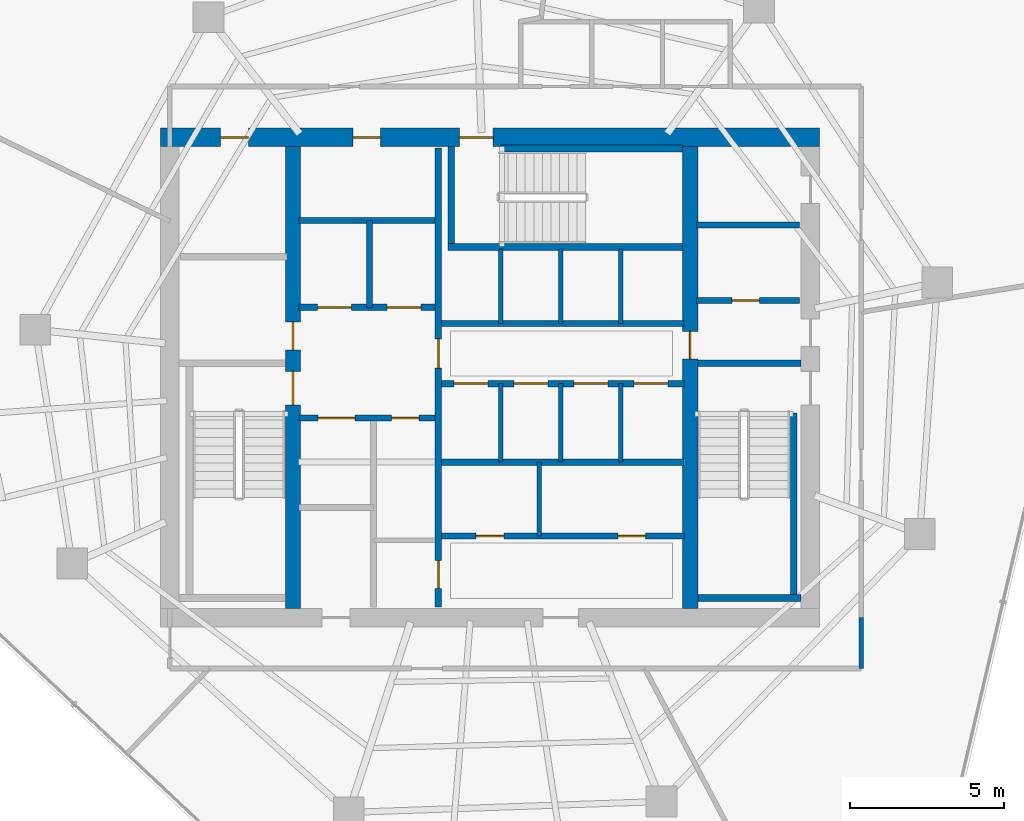
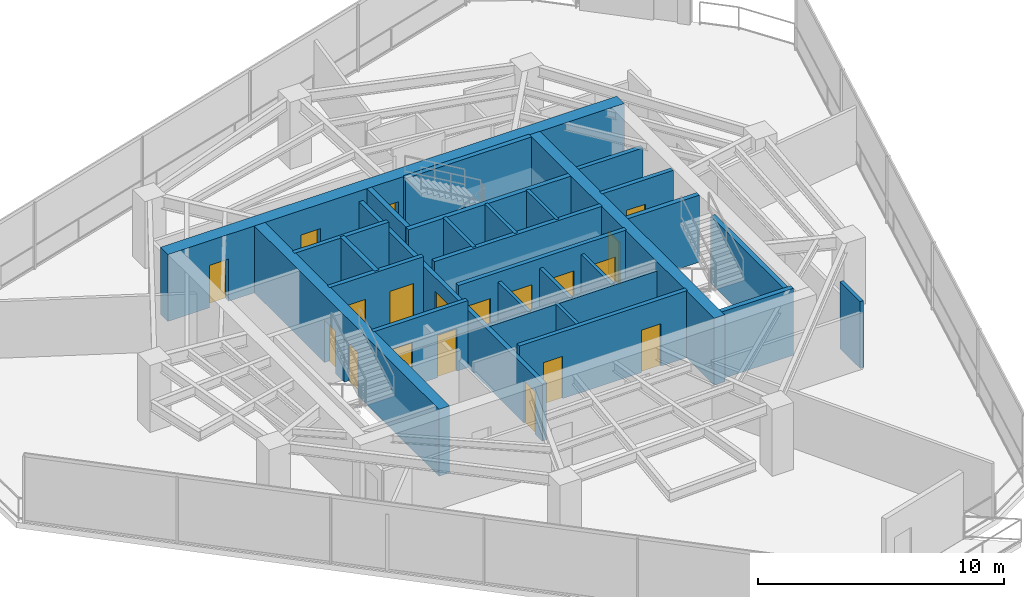
# One storey, part 16 of 19: 28 walls, 19 doors, 19 openings.
"""IFC4 building model written with IfcOpenShell, lengths in metres."""

import ifcopenshell
import ifcopenshell.guid

model = None  # the IFC model being written
_history = None  # IfcOwnerHistory: only IFC2X3 demands one
_inside = {}  # id of a spatial element -> (the spatial element, [elements in it])
_under = {}  # id of a project, library or spatial element -> (it, [spatial elements below it])
_declared = {}  # id of a project -> (the project, [libraries it declares])
_typed = {}  # id of a type object -> (the type object, [elements of that type])
_made_of = {}  # id of a material, layer set ... -> (it, [elements and type objects made of it])


def new_model(schema):
    """Start an empty IFC model of exactly this schema.

    Asked for "IFC4X3", IfcOpenShell would pick the latest addendum, in which some entities
    have other attributes; the version numbers below select the first issue.
    IFC2X3 requires an IfcOwnerHistory on every rooted entity: one is made here for all.
    """
    global model, _history
    if schema == "IFC4X3":
        model = ifcopenshell.file(schema_version=(4, 3, 0, 0))
    else:
        model = ifcopenshell.file(schema=schema)
    _inside.clear()
    _under.clear()
    _declared.clear()
    _typed.clear()
    _made_of.clear()
    _history = None
    if model.schema == "IFC2X3":
        org = make("IfcOrganization", Name="unknown")
        user = make(
            "IfcPersonAndOrganization",
            ThePerson=make("IfcPerson", FamilyName="unknown"),
            TheOrganization=org,
        )
        app = make(
            "IfcApplication",
            ApplicationDeveloper=org,
            Version="unknown",
            ApplicationFullName="unknown",
            ApplicationIdentifier="unknown",
        )
        _history = make(
            "IfcOwnerHistory",
            OwningUser=user,
            OwningApplication=app,
            ChangeAction="ADDED",
            CreationDate=0,
        )
    return model


def make(cls, **values):
    """One entity of the class cls with the attributes given. An attribute that is None is left unset."""
    return model.create_entity(
        cls, **{name: value for name, value in values.items() if value is not None}
    )


def rooted(cls, **values):
    """An entity with a GlobalId (a new one), such as an element, a storey or a relation."""
    return make(cls, GlobalId=ifcopenshell.guid.new(), OwnerHistory=_history, **values)


def si_unit(unit_type, name, prefix=None):
    """IfcSIUnit, for example si_unit("LENGTHUNIT", "METRE", prefix="MILLI")."""
    return make("IfcSIUnit", UnitType=unit_type, Prefix=prefix, Name=name)


def assignment(units):
    """IfcUnitAssignment: the units of a project."""
    return None if units is None else make("IfcUnitAssignment", Units=units)


def point(xyz):
    """IfcCartesianPoint."""
    return None if xyz is None else make("IfcCartesianPoint", Coordinates=xyz)


def direction(xyz):
    """IfcDirection."""
    return None if xyz is None else make("IfcDirection", DirectionRatios=xyz)


def frame(location, z_axis=None, x_axis=None):
    """IfcAxis2Placement3D, a coordinate frame: its origin and axes. An axis left out is left unset."""
    return make(
        "IfcAxis2Placement3D",
        Location=point(location),
        Axis=direction(z_axis),
        RefDirection=direction(x_axis),
    )


def frame_2d(location, x_axis=None):
    """IfcAxis2Placement2D, a coordinate frame in the plane: its origin and x axis."""
    return make(
        "IfcAxis2Placement2D", Location=point(location), RefDirection=direction(x_axis)
    )


def origin():
    """The frame at (0, 0, 0) with its axes left unset."""
    return frame((0.0, 0.0, 0.0))


def place(relative_to, where):
    """IfcLocalPlacement: puts the frame where relative to a parent placement (None: the world)."""
    return make(
        "IfcLocalPlacement", PlacementRelTo=relative_to, RelativePlacement=where
    )


def context(
    kind, dimensions, precision=None, world=None, true_north=None, identifier=None
):
    """IfcGeometricRepresentationContext, for example the 3D "Model" context."""
    return make(
        "IfcGeometricRepresentationContext",
        ContextIdentifier=identifier,
        ContextType=kind,
        CoordinateSpaceDimension=dimensions,
        Precision=precision,
        WorldCoordinateSystem=world,
        TrueNorth=true_north,
    )


def subcontext(parent, identifier, kind, view, scale=None):
    """IfcGeometricRepresentationSubContext, for example "Body" below "Model"."""
    return make(
        "IfcGeometricRepresentationSubContext",
        ContextIdentifier=identifier,
        ContextType=kind,
        ParentContext=parent,
        TargetScale=scale,
        TargetView=view,
    )


def project(units=None, contexts=None):
    """IfcProject with its units and contexts."""
    return rooted(
        "IfcProject",
        Name="project",
        RepresentationContexts=contexts,
        UnitsInContext=assignment(units),
    )


def spatial(cls, under=None, at=None, **own):
    """A site, building, storey or space (cls), placed at a placement, below another one or the project."""
    s = rooted(cls, ObjectPlacement=at, **own)
    if under is not None:
        _under.setdefault(under.id(), (under, []))[1].append(s)
    return s


def profile(cls, at=None, kind="AREA", **sizes):
    """A parametric profile (cls). Its sizes go by their IFC names, for example OverallWidth=200.0."""
    return make(cls, ProfileType=kind, Position=at, **sizes)


def rectangle(**sizes):
    """IfcRectangleProfileDef."""
    return profile("IfcRectangleProfileDef", **sizes)


def extrude(swept, where, along, depth):
    """IfcExtrudedAreaSolid: the profile swept, set in the frame where, extruded along a direction by depth."""
    return make(
        "IfcExtrudedAreaSolid",
        SweptArea=swept,
        Position=where,
        ExtrudedDirection=direction(along),
        Depth=depth,
    )


def shape(context_of_items, identifier, shape_type, items):
    """IfcShapeRepresentation: the items that make up one representation, for example the "Body"."""
    return make(
        "IfcShapeRepresentation",
        ContextOfItems=context_of_items,
        RepresentationIdentifier=identifier,
        RepresentationType=shape_type,
        Items=items,
    )


def material(Name=None, Category=None):
    """IfcMaterial."""
    return make("IfcMaterial", Name=Name, Category=Category)


def layer(
    of_material, thickness, ventilated=None, Name=None, Category=None, Priority=None
):
    """IfcMaterialLayer: one layer of a wall or slab, of a material (None: an air gap)."""
    return make(
        "IfcMaterialLayer",
        Material=of_material,
        LayerThickness=thickness,
        IsVentilated=ventilated,
        Name=Name,
        Category=Category,
        Priority=Priority,
    )


def layer_set(layers, Name=None):
    """IfcMaterialLayerSet."""
    return make("IfcMaterialLayerSet", MaterialLayers=layers, LayerSetName=Name)


def made_of(thing, what):
    """Note that an element or type object is made of a material, layer set ...; save() writes the relation."""
    if what is not None:
        _made_of.setdefault(what.id(), (what, []))[1].append(thing)
    return thing


def type_object(cls, material=None, **own):
    """A type object (cls), such as IfcWallType, which elements share."""
    return made_of(rooted(cls, **own), material)


def element(
    cls,
    number,
    at=None,
    inside=None,
    cuts=None,
    type_object=None,
    material=None,
    context=None,
    identifier="Body",
    shape_type=None,
    held_by="IfcProductDefinitionShape",
    body=None,
    shapes=None,
    **own,
):
    """One element of the class cls, such as IfcWall. Its Tag is "e" and its number.

    at: its placement. inside: the storey or other place that contains it. cuts: it is an
    opening in that element (IfcRelVoidsElement). A single representation is given by context,
    identifier, shape_type and body (its items); several are given by shapes. held_by: the class
    of the entity that holds the representations. save() writes the other relations.
    """
    e = rooted(cls, Tag="e%d" % number, ObjectPlacement=at, **own)
    if body is not None:
        shapes = [shape(context, identifier, shape_type, body)]
    if shapes is not None:
        e.Representation = make(held_by, Representations=shapes)
    if inside is not None:
        _inside.setdefault(inside.id(), (inside, []))[1].append(e)
    if cuts is not None:
        rooted(
            "IfcRelVoidsElement", RelatingBuildingElement=cuts, RelatedOpeningElement=e
        )
    if type_object is not None:
        _typed.setdefault(type_object.id(), (type_object, []))[1].append(e)
    return made_of(e, material)


def fill(opening, filler):
    """IfcRelFillsElement: the door or window that sits in an opening."""
    return rooted(
        "IfcRelFillsElement",
        RelatingOpeningElement=opening,
        RelatedBuildingElement=filler,
    )


def aggregate(whole, parts):
    """IfcRelAggregates: a whole, such as a stair, and the parts it consists of."""
    return rooted("IfcRelAggregates", RelatingObject=whole, RelatedObjects=parts)


def save(model, path):
    """Write the relations noted so far, then the file.

    IfcRelAggregates (storeys below a building ...), IfcRelContainedInSpatialStructure (elements
    in a storey), IfcRelDefinesByType, IfcRelAssociatesMaterial and IfcRelDeclares: one each for
    every whole, place, type object, material and project.
    """
    for whole, parts in _under.values():
        aggregate(whole, parts)
    for where, things in _inside.values():
        rooted(
            "IfcRelContainedInSpatialStructure",
            RelatedElements=things,
            RelatingStructure=where,
        )
    for kind, things in _typed.values():
        rooted("IfcRelDefinesByType", RelatedObjects=things, RelatingType=kind)
    for what, things in _made_of.values():
        rooted("IfcRelAssociatesMaterial", RelatedObjects=things, RelatingMaterial=what)
    for by, libraries in _declared.values():
        rooted("IfcRelDeclares", RelatingContext=by, RelatedDefinitions=libraries)
    model.write(path)


model = new_model("IFC4")

# Units and contexts
model_context = context("Model", 3, precision=1e-05, world=origin(), true_north=direction((0.0, 1.0)))
body_context = subcontext(model_context, "Body", "Model", "MODEL_VIEW")
ifc_project = project(units=[si_unit("LENGTHUNIT", "METRE"), si_unit("AREAUNIT", "SQUARE_METRE"), si_unit("VOLUMEUNIT", "CUBIC_METRE"), si_unit("PLANEANGLEUNIT", "RADIAN"), si_unit("MASSUNIT", "GRAM", prefix="KILO")], contexts=[model_context])

# Site, building, storey
site_placement = place(None, origin())
site = spatial("IfcSite", under=ifc_project, at=site_placement, CompositionType="ELEMENT")
building_placement = place(site_placement, origin())
building = spatial("IfcBuilding", under=site, at=building_placement, Name="Qarnah Convention Tower", CompositionType="ELEMENT")
storey_placement = place(building_placement, frame((0.0, 0.0, 129.300048828125)))
storey = spatial("IfcBuildingStorey", under=building, at=storey_placement, Name="L34", CompositionType="ELEMENT", Elevation=129.300048828125)

# Wall, openings, doors
ifc_material_1 = material(Name="Concrete C60/75", Category="concrete")
ifc_layer_1 = layer(ifc_material_1, 0.60009765625)
ifc_layer_set_1 = layer_set([ifc_layer_1], Name="Concrete C60/75")
wall_type_1 = type_object("IfcWallType", Name="WL-CORE-600", PredefinedType="SHEAR", material=ifc_layer_set_1)
wall_1_placement = place(storey_placement, frame((26.5, 34.199951171875, 0.0), z_axis=(0.0, 0.0, 1.0), x_axis=(1.0, 0.0, 0.0)))
wall_1 = element("IfcWall", 1, at=wall_1_placement, inside=storey, type_object=wall_type_1, Name="L34 core north shear wall", PredefinedType="SHEAR", context=body_context, shape_type="SweptSolid", body=[
    extrude(rectangle(XDim=21.39990234375, YDim=0.60009765625, at=frame_2d((10.699951171875, 0.0))), origin(), (0.0, 0.0, 1.0), 3.320068359375),
])
opening_1_placement = place(wall_1_placement, frame((9.699951171875, 0.0, 0.0)))
opening_1 = element("IfcOpeningElement", 2, at=opening_1_placement, cuts=wall_1, Name="Opening D-3403", PredefinedType="OPENING", context=body_context, shape_type="SweptSolid", body=[
    extrude(rectangle(XDim=1.10009765625, YDim=2.14990234375, at=frame_2d((0.550048828125, 1.074951171875))), frame((0.0, 0.31005859375, 0.0), z_axis=(0.0, -1.0, 0.0), x_axis=(1.0, 0.0, 0.0)), (0.0, 0.0, 1.0), 0.6201171875),
])
opening_2_placement = place(wall_1_placement, frame((1.949951171875, 0.0, 0.0)))
opening_2 = element("IfcOpeningElement", 3, at=opening_2_placement, cuts=wall_1, Name="Opening D-3409", PredefinedType="OPENING", context=body_context, shape_type="SweptSolid", body=[
    extrude(rectangle(XDim=0.89990234375, YDim=2.10009765625, at=frame_2d((0.449951171875, 1.050048828125))), frame((0.0, 0.31005859375, 0.0), z_axis=(0.0, -1.0, 0.0), x_axis=(1.0, 0.0, 0.0)), (0.0, 0.0, 1.0), 0.6201171875),
])
opening_3_placement = place(wall_1_placement, frame((6.25, 0.0, 0.0)))
opening_3 = element("IfcOpeningElement", 4, at=opening_3_placement, cuts=wall_1, Name="Opening D-3410", PredefinedType="OPENING", context=body_context, shape_type="SweptSolid", body=[
    extrude(rectangle(XDim=0.89990234375, YDim=2.10009765625, at=frame_2d((0.449951171875, 1.050048828125))), frame((0.0, 0.31005859375, 0.0), z_axis=(0.0, -1.0, 0.0), x_axis=(1.0, 0.0, 0.0)), (0.0, 0.0, 1.0), 0.6201171875),
])
ifc_material_2 = material(Name="Structural steel S355JR", Category="steel")
door_type_1 = type_object("IfcDoorType", Name="DT-RISER-900", OperationType="NOTDEFINED", PredefinedType="DOOR", material=ifc_material_2)
door_1_placement = place(opening_2_placement, origin())
door_1 = element("IfcDoor", 5, at=door_1_placement, inside=storey, type_object=door_type_1, Name="Door D-3409", OperationType="SINGLE_SWING_RIGHT", OverallHeight=2.10009765625, OverallWidth=0.89990234375, PredefinedType="DOOR", context=body_context, shape_type="SweptSolid", body=[
    extrude(rectangle(XDim=0.89990234375, YDim=2.10009765625, at=frame_2d((0.449951171875, 1.050048828125))), frame((0.0, 0.02490234375, 0.0), z_axis=(0.0, -1.0, 0.0), x_axis=(1.0, 0.0, 0.0)), (0.0, 0.0, 1.0), 0.050048828125),
])
fill(opening_2, door_1)
door_2_placement = place(opening_3_placement, origin())
door_2 = element("IfcDoor", 6, at=door_2_placement, inside=storey, type_object=door_type_1, Name="Door D-3410", OperationType="SINGLE_SWING_LEFT", OverallHeight=2.10009765625, OverallWidth=0.89990234375, PredefinedType="DOOR", context=body_context, shape_type="SweptSolid", body=[
    extrude(rectangle(XDim=0.89990234375, YDim=2.10009765625, at=frame_2d((0.449951171875, 1.050048828125))), frame((0.0, 0.02490234375, 0.0), z_axis=(0.0, -1.0, 0.0), x_axis=(1.0, 0.0, 0.0)), (0.0, 0.0, 1.0), 0.050048828125),
])
fill(opening_3, door_2)
door_type_2 = type_object("IfcDoorType", Name="DT-STAIR-1100", OperationType="NOTDEFINED", PredefinedType="DOOR", material=ifc_material_2)
door_3_placement = place(opening_1_placement, origin())
door_3 = element("IfcDoor", 7, at=door_3_placement, inside=storey, type_object=door_type_2, Name="Door D-3403", OperationType="SINGLE_SWING_RIGHT", OverallHeight=2.14990234375, OverallWidth=1.10009765625, PredefinedType="DOOR", context=body_context, shape_type="SweptSolid", body=[
    extrude(rectangle(XDim=1.10009765625, YDim=2.14990234375, at=frame_2d((0.550048828125, 1.074951171875))), frame((0.0, 0.02490234375, 0.0), z_axis=(0.0, -1.0, 0.0), x_axis=(1.0, 0.0, 0.0)), (0.0, 0.0, 1.0), 0.050048828125),
])
fill(opening_1, door_3)

ifc_layer_2 = layer(ifc_material_1, 0.5)
ifc_layer_set_2 = layer_set([ifc_layer_2], Name="Concrete C60/75")
wall_type_2 = type_object("IfcWallType", Name="WL-CORE-INT-400", PredefinedType="SHEAR", material=ifc_layer_set_2)
wall_2_placement = place(storey_placement, frame((30.800048828125, 18.89990234375, 0.0), z_axis=(0.0, 0.0, 1.0), x_axis=(0.0, 1.0, 0.0)))
wall_2 = element("IfcWall", 8, at=wall_2_placement, inside=storey, type_object=wall_type_2, Name="L34 core west spine shear wall", PredefinedType="SHEAR", context=body_context, shape_type="SweptSolid", body=[
    extrude(rectangle(XDim=15.0, YDim=0.5, at=frame_2d((7.5, 0.0))), origin(), (0.0, 0.0, 1.0), 3.320068359375),
])
opening_4_placement = place(wall_2_placement, frame((6.60009765625, 0.0, 0.0)))
opening_4 = element("IfcOpeningElement", 9, at=opening_4_placement, cuts=wall_2, Name="Opening D-3401", PredefinedType="OPENING", context=body_context, shape_type="SweptSolid", body=[
    extrude(rectangle(XDim=1.10009765625, YDim=2.14990234375, at=frame_2d((0.550048828125, 1.074951171875))), frame((0.0, 0.260009765625, 0.0), z_axis=(0.0, -1.0, 0.0), x_axis=(1.0, 0.0, 0.0)), (0.0, 0.0, 1.0), 0.52001953125),
])
opening_5_placement = place(wall_2_placement, frame((8.39990234375, 0.0, 0.0)))
opening_5 = element("IfcOpeningElement", 10, at=opening_5_placement, cuts=wall_2, Name="Opening D-3408", PredefinedType="OPENING", context=body_context, shape_type="SweptSolid", body=[
    extrude(rectangle(XDim=0.89990234375, YDim=2.10009765625, at=frame_2d((0.449951171875, 1.050048828125))), frame((0.0, 0.260009765625, 0.0), z_axis=(0.0, -1.0, 0.0), x_axis=(1.0, 0.0, 0.0)), (0.0, 0.0, 1.0), 0.52001953125),
])
door_4_placement = place(opening_5_placement, origin())
door_4 = element("IfcDoor", 11, at=door_4_placement, inside=storey, type_object=door_type_1, Name="Door D-3408", OperationType="SINGLE_SWING_LEFT", OverallHeight=2.10009765625, OverallWidth=0.89990234375, PredefinedType="DOOR", context=body_context, shape_type="SweptSolid", body=[
    extrude(rectangle(XDim=0.89990234375, YDim=2.10009765625, at=frame_2d((0.449951171875, 1.050048828125))), frame((0.0, 0.02490234375, 0.0), z_axis=(0.0, -1.0, 0.0), x_axis=(1.0, 0.0, 0.0)), (0.0, 0.0, 1.0), 0.050048828125),
])
fill(opening_5, door_4)
door_5_placement = place(opening_4_placement, origin())
door_5 = element("IfcDoor", 12, at=door_5_placement, inside=storey, type_object=door_type_2, Name="Door D-3401", OperationType="SINGLE_SWING_RIGHT", OverallHeight=2.14990234375, OverallWidth=1.10009765625, PredefinedType="DOOR", context=body_context, shape_type="SweptSolid", body=[
    extrude(rectangle(XDim=1.10009765625, YDim=2.14990234375, at=frame_2d((0.550048828125, 1.074951171875))), frame((0.0, 0.02490234375, 0.0), z_axis=(0.0, -1.0, 0.0), x_axis=(1.0, 0.0, 0.0)), (0.0, 0.0, 1.0), 0.050048828125),
])
fill(opening_4, door_5)

# Wall, opening, door
wall_3_placement = place(storey_placement, frame((43.699951171875, 18.89990234375, 0.0), z_axis=(0.0, 0.0, 1.0), x_axis=(0.0, 1.0, 0.0)))
wall_3 = element("IfcWall", 13, at=wall_3_placement, inside=storey, type_object=wall_type_2, Name="L34 core east spine shear wall", PredefinedType="SHEAR", context=body_context, shape_type="SweptSolid", body=[
    extrude(rectangle(XDim=15.0, YDim=0.5, at=frame_2d((7.5, 0.0))), origin(), (0.0, 0.0, 1.0), 3.320068359375),
])
opening_6_placement = place(wall_3_placement, frame((8.10009765625, 0.0, 0.0)))
opening_6 = element("IfcOpeningElement", 14, at=opening_6_placement, cuts=wall_3, Name="Opening D-3405", PredefinedType="OPENING", context=body_context, shape_type="SweptSolid", body=[
    extrude(rectangle(XDim=0.89990234375, YDim=2.10009765625, at=frame_2d((0.449951171875, 1.050048828125))), frame((0.0, 0.260009765625, 0.0), z_axis=(0.0, -1.0, 0.0), x_axis=(1.0, 0.0, 0.0)), (0.0, 0.0, 1.0), 0.52001953125),
])
door_6_placement = place(opening_6_placement, origin())
door_6 = element("IfcDoor", 15, at=door_6_placement, inside=storey, type_object=door_type_1, Name="Door D-3405", OperationType="SINGLE_SWING_RIGHT", OverallHeight=2.10009765625, OverallWidth=0.89990234375, PredefinedType="DOOR", context=body_context, shape_type="SweptSolid", body=[
    extrude(rectangle(XDim=0.89990234375, YDim=2.10009765625, at=frame_2d((0.449951171875, 1.050048828125))), frame((0.0, 0.02490234375, 0.0), z_axis=(0.0, -1.0, 0.0), x_axis=(1.0, 0.0, 0.0)), (0.0, 0.0, 1.0), 0.050048828125),
])
fill(opening_6, door_6)

ifc_material_3 = material(Name="Concrete C45/55", Category="concrete")
ifc_layer_3 = layer(ifc_material_3, 0.199951171875)
ifc_layer_set_3 = layer_set([ifc_layer_3], Name="Concrete C45/55")
wall_type_3 = type_object("IfcWallType", Name="WL-CORE-PART-200", PredefinedType="SOLIDWALL", material=ifc_layer_set_3)
wall_4_placement = place(storey_placement, frame((43.89990234375, 28.89990234375, 0.0), z_axis=(0.0, 0.0, 1.0), x_axis=(1.0, 0.0, 0.0)))
wall_4 = element("IfcWall", 16, at=wall_4_placement, inside=storey, type_object=wall_type_3, Name="L34 interior wall IW-L34-EVSTN", PredefinedType="SOLIDWALL", context=body_context, shape_type="SweptSolid", body=[
    extrude(rectangle(XDim=3.35009765625, YDim=0.199951171875, at=frame_2d((1.675048828125, 0.0))), origin(), (0.0, 0.0, 1.0), 3.320068359375),
])
opening_7_placement = place(wall_4_placement, frame((1.14990234375, 0.0, 0.0)))
opening_7 = element("IfcOpeningElement", 17, at=opening_7_placement, cuts=wall_4, Name="Opening D-3411", PredefinedType="OPENING", context=body_context, shape_type="SweptSolid", body=[
    extrude(rectangle(XDim=0.89990234375, YDim=2.10009765625, at=frame_2d((0.449951171875, 1.050048828125))), frame((0.0, 0.10986328125, 0.0), z_axis=(0.0, -1.0, 0.0), x_axis=(1.0, 0.0, 0.0)), (0.0, 0.0, 1.0), 0.219970703125),
])
door_7_placement = place(opening_7_placement, origin())
door_7 = element("IfcDoor", 18, at=door_7_placement, inside=storey, type_object=door_type_1, Name="Door D-3411", OperationType="SINGLE_SWING_RIGHT", OverallHeight=2.10009765625, OverallWidth=0.89990234375, PredefinedType="DOOR", context=body_context, shape_type="SweptSolid", body=[
    extrude(rectangle(XDim=0.89990234375, YDim=2.10009765625, at=frame_2d((0.449951171875, 1.050048828125))), frame((0.0, 0.02490234375, 0.0), z_axis=(0.0, -1.0, 0.0), x_axis=(1.0, 0.0, 0.0)), (0.0, 0.0, 1.0), 0.050048828125),
])
fill(opening_7, door_7)

# Wall
wall_5_placement = place(storey_placement, frame((43.89990234375, 31.35009765625, 0.0), z_axis=(0.0, 0.0, 1.0), x_axis=(1.0, 0.0, 0.0)))
element("IfcWall", 19, at=wall_5_placement, inside=storey, type_object=wall_type_3, Name="L34 interior wall IW-L34-WTRN", PredefinedType="SOLIDWALL", context=body_context, shape_type="SweptSolid", body=[
    extrude(rectangle(XDim=3.35009765625, YDim=0.199951171875, at=frame_2d((1.675048828125, 0.0))), origin(), (0.0, 0.0, 1.0), 2.948974609375),
])

# Wall, openings, doors
wall_6_placement = place(storey_placement, frame((35.52001953125, 18.949951171875, 0.0), z_axis=(0.0, 0.0, 1.0), x_axis=(0.0, 1.0, 0.0)))
wall_6 = element("IfcWall", 20, at=wall_6_placement, inside=storey, type_object=wall_type_3, Name="L34 interior wall IW-L34-CSP", PredefinedType="SOLIDWALL", context=body_context, shape_type="SweptSolid", body=[
    extrude(rectangle(XDim=14.900146484375, YDim=0.199951171875, at=frame_2d((7.4501953125, 0.0))), origin(), (0.0, 0.0, 1.0), 2.841064453125),
])
opening_8_placement = place(wall_6_placement, frame((7.7548828125, 0.0, 0.0)))
opening_8 = element("IfcOpeningElement", 21, at=opening_8_placement, cuts=wall_6, Name="Opening D-3404", PredefinedType="OPENING", context=body_context, shape_type="SweptSolid", body=[
    extrude(rectangle(XDim=0.949951171875, YDim=2.14990234375, at=frame_2d((0.47509765625, 1.074951171875))), frame((0.0, 0.10986328125, 0.0), z_axis=(0.0, -1.0, 0.0), x_axis=(1.0, 0.0, 0.0)), (0.0, 0.0, 1.0), 0.219970703125),
])
opening_9_placement = place(wall_6_placement, frame((0.60009765625, 0.0, 0.0)))
opening_9 = element("IfcOpeningElement", 22, at=opening_9_placement, cuts=wall_6, Name="Opening D-3414", PredefinedType="OPENING", context=body_context, shape_type="SweptSolid", body=[
    extrude(rectangle(XDim=0.89990234375, YDim=2.10009765625, at=frame_2d((0.449951171875, 1.050048828125))), frame((0.0, 0.10986328125, 0.0), z_axis=(0.0, -1.0, 0.0), x_axis=(1.0, 0.0, 0.0)), (0.0, 0.0, 1.0), 0.219970703125),
])
ifc_material_4 = material(Name="Oak timber veneer", Category="wood")
door_type_3 = type_object("IfcDoorType", Name="DT-HOTEL-950", OperationType="NOTDEFINED", PredefinedType="DOOR", material=ifc_material_4)
door_8_placement = place(opening_8_placement, origin())
door_8 = element("IfcDoor", 23, at=door_8_placement, inside=storey, type_object=door_type_3, Name="Door D-3404", OperationType="SINGLE_SWING_LEFT", OverallHeight=2.14990234375, OverallWidth=0.949951171875, PredefinedType="DOOR", context=body_context, shape_type="SweptSolid", body=[
    extrude(rectangle(XDim=0.949951171875, YDim=2.14990234375, at=frame_2d((0.47509765625, 1.074951171875))), frame((0.0, 0.02490234375, 0.0), z_axis=(0.0, -1.0, 0.0), x_axis=(1.0, 0.0, 0.0)), (0.0, 0.0, 1.0), 0.050048828125),
])
fill(opening_8, door_8)
door_9_placement = place(opening_9_placement, origin())
door_9 = element("IfcDoor", 24, at=door_9_placement, inside=storey, type_object=door_type_1, Name="Door D-3414", OperationType="SINGLE_SWING_LEFT", OverallHeight=2.10009765625, OverallWidth=0.89990234375, PredefinedType="DOOR", context=body_context, shape_type="SweptSolid", body=[
    extrude(rectangle(XDim=0.89990234375, YDim=2.10009765625, at=frame_2d((0.449951171875, 1.050048828125))), frame((0.0, 0.02490234375, 0.0), z_axis=(0.0, -1.0, 0.0), x_axis=(1.0, 0.0, 0.0)), (0.0, 0.0, 1.0), 0.050048828125),
])
fill(opening_9, door_9)

wall_7_placement = place(storey_placement, frame((31.0, 28.679931640625, 0.0), z_axis=(0.0, 0.0, 1.0), x_axis=(1.0, 0.0, 0.0)))
wall_7 = element("IfcWall", 25, at=wall_7_placement, inside=storey, type_object=wall_type_3, Name="L34 interior wall IW-L34-FFLS", PredefinedType="SOLIDWALL", context=body_context, shape_type="SweptSolid", body=[
    extrude(rectangle(XDim=4.419921875, YDim=0.199951171875, at=frame_2d((2.2099609375, 0.0))), origin(), (0.0, 0.0, 1.0), 3.320068359375),
])
opening_10_placement = place(wall_7_placement, frame((0.60009765625, 0.0, 0.0)))
opening_10 = element("IfcOpeningElement", 26, at=opening_10_placement, cuts=wall_7, Name="Opening LD-3401", PredefinedType="OPENING", context=body_context, shape_type="SweptSolid", body=[
    extrude(rectangle(XDim=1.10009765625, YDim=2.14990234375, at=frame_2d((0.550048828125, 1.074951171875))), frame((0.0, 0.10986328125, 0.0), z_axis=(0.0, -1.0, 0.0), x_axis=(1.0, 0.0, 0.0)), (0.0, 0.0, 1.0), 0.219970703125),
])
opening_11_placement = place(wall_7_placement, frame((2.85009765625, 0.0, 0.0)))
opening_11 = element("IfcOpeningElement", 27, at=opening_11_placement, cuts=wall_7, Name="Opening LD-3402", PredefinedType="OPENING", context=body_context, shape_type="SweptSolid", body=[
    extrude(rectangle(XDim=1.10009765625, YDim=2.14990234375, at=frame_2d((0.550048828125, 1.074951171875))), frame((0.0, 0.10986328125, 0.0), z_axis=(0.0, -1.0, 0.0), x_axis=(1.0, 0.0, 0.0)), (0.0, 0.0, 1.0), 0.219970703125),
])
door_type_4 = type_object("IfcDoorType", Name="DT-LIFT-1100", OperationType="SLIDING_TO_LEFT", PredefinedType="DOOR", material=ifc_material_2)
door_10_placement = place(opening_10_placement, origin())
door_10 = element("IfcDoor", 28, at=door_10_placement, inside=storey, type_object=door_type_4, Name="Door LD-3401", OperationType="SLIDING_TO_LEFT", OverallHeight=2.14990234375, OverallWidth=1.10009765625, PredefinedType="DOOR", context=body_context, shape_type="SweptSolid", body=[
    extrude(rectangle(XDim=1.10009765625, YDim=2.14990234375, at=frame_2d((0.550048828125, 1.074951171875))), frame((0.0, 0.02490234375, 0.0), z_axis=(0.0, -1.0, 0.0), x_axis=(1.0, 0.0, 0.0)), (0.0, 0.0, 1.0), 0.050048828125),
])
fill(opening_10, door_10)
door_11_placement = place(opening_11_placement, origin())
door_11 = element("IfcDoor", 29, at=door_11_placement, inside=storey, type_object=door_type_4, Name="Door LD-3402", OperationType="SLIDING_TO_LEFT", OverallHeight=2.14990234375, OverallWidth=1.10009765625, PredefinedType="DOOR", context=body_context, shape_type="SweptSolid", body=[
    extrude(rectangle(XDim=1.10009765625, YDim=2.14990234375, at=frame_2d((0.550048828125, 1.074951171875))), frame((0.0, 0.02490234375, 0.0), z_axis=(0.0, -1.0, 0.0), x_axis=(1.0, 0.0, 0.0)), (0.0, 0.0, 1.0), 0.050048828125),
])
fill(opening_11, door_11)

# Walls
wall_8_placement = place(storey_placement, frame((31.0, 31.5, 0.0), z_axis=(0.0, 0.0, 1.0), x_axis=(1.0, 0.0, 0.0)))
element("IfcWall", 30, at=wall_8_placement, inside=storey, type_object=wall_type_3, Name="L34 interior wall IW-L34-FFLN", PredefinedType="SOLIDWALL", context=body_context, shape_type="SweptSolid", body=[
    extrude(rectangle(XDim=4.419921875, YDim=0.199951171875, at=frame_2d((2.2099609375, 0.0))), origin(), (0.0, 0.0, 1.0), 3.320068359375),
])
wall_9_placement = place(storey_placement, frame((33.280029296875, 28.679931640625, 0.0), z_axis=(0.0, 0.0, 1.0), x_axis=(0.0, 1.0, 0.0)))
element("IfcWall", 31, at=wall_9_placement, inside=storey, type_object=wall_type_3, Name="L34 interior wall IW-L34-FFLM", PredefinedType="SOLIDWALL", context=body_context, shape_type="SweptSolid", body=[
    extrude(rectangle(XDim=2.820068359375, YDim=0.199951171875, at=frame_2d((1.41015625, 0.0))), origin(), (0.0, 0.0, 1.0), 3.320068359375),
])

# Wall, openings, doors
wall_10_placement = place(storey_placement, frame((31.0, 25.080078125, 0.0), z_axis=(0.0, 0.0, 1.0), x_axis=(1.0, 0.0, 0.0)))
wall_10 = element("IfcWall", 32, at=wall_10_placement, inside=storey, type_object=wall_type_3, Name="L34 interior wall IW-L34-FFLBS", PredefinedType="SOLIDWALL", context=body_context, shape_type="SweptSolid", body=[
    extrude(rectangle(XDim=4.419921875, YDim=0.199951171875, at=frame_2d((2.2099609375, 0.0))), origin(), (0.0, 0.0, 1.0), 3.320068359375),
])
opening_12_placement = place(wall_10_placement, frame((3.0, 0.0, 0.0)))
opening_12 = element("IfcOpeningElement", 33, at=opening_12_placement, cuts=wall_10, Name="Opening D-3415", PredefinedType="OPENING", context=body_context, shape_type="SweptSolid", body=[
    extrude(rectangle(XDim=0.89990234375, YDim=2.10009765625, at=frame_2d((0.449951171875, 1.050048828125))), frame((0.0, 0.10986328125, 0.0), z_axis=(0.0, -1.0, 0.0), x_axis=(1.0, 0.0, 0.0)), (0.0, 0.0, 1.0), 0.219970703125),
])
opening_13_placement = place(wall_10_placement, frame((0.6201171875, 0.0, 0.0)))
opening_13 = element("IfcOpeningElement", 34, at=opening_13_placement, cuts=wall_10, Name="Opening LD-3403", PredefinedType="OPENING", context=body_context, shape_type="SweptSolid", body=[
    extrude(rectangle(XDim=1.199951171875, YDim=2.14990234375, at=frame_2d((0.60009765625, 1.074951171875))), frame((0.0, 0.10986328125, 0.0), z_axis=(0.0, -1.0, 0.0), x_axis=(1.0, 0.0, 0.0)), (0.0, 0.0, 1.0), 0.219970703125),
])
door_type_5 = type_object("IfcDoorType", Name="DT-LIFT-1200", OperationType="SLIDING_TO_LEFT", PredefinedType="DOOR", material=ifc_material_2)
door_12_placement = place(opening_13_placement, origin())
door_12 = element("IfcDoor", 35, at=door_12_placement, inside=storey, type_object=door_type_5, Name="Door LD-3403", OperationType="SLIDING_TO_LEFT", OverallHeight=2.14990234375, OverallWidth=1.199951171875, PredefinedType="DOOR", context=body_context, shape_type="SweptSolid", body=[
    extrude(rectangle(XDim=1.199951171875, YDim=2.14990234375, at=frame_2d((0.60009765625, 1.074951171875))), frame((0.0, 0.02490234375, 0.0), z_axis=(0.0, -1.0, 0.0), x_axis=(1.0, 0.0, 0.0)), (0.0, 0.0, 1.0), 0.050048828125),
])
fill(opening_13, door_12)
door_13_placement = place(opening_12_placement, origin())
door_13 = element("IfcDoor", 36, at=door_13_placement, inside=storey, type_object=door_type_1, Name="Door D-3415", OperationType="SINGLE_SWING_RIGHT", OverallHeight=2.10009765625, OverallWidth=0.89990234375, PredefinedType="DOOR", context=body_context, shape_type="SweptSolid", body=[
    extrude(rectangle(XDim=0.89990234375, YDim=2.10009765625, at=frame_2d((0.449951171875, 1.050048828125))), frame((0.0, 0.02490234375, 0.0), z_axis=(0.0, -1.0, 0.0), x_axis=(1.0, 0.0, 0.0)), (0.0, 0.0, 1.0), 0.050048828125),
])
fill(opening_12, door_13)

# Wall
wall_11_placement = place(storey_placement, frame((35.6201171875, 28.14990234375, 0.0), z_axis=(0.0, 0.0, 1.0), x_axis=(1.0, 0.0, 0.0)))
element("IfcWall", 37, at=wall_11_placement, inside=storey, type_object=wall_type_3, Name="L34 interior wall IW-L34-PHS", PredefinedType="SOLIDWALL", context=body_context, shape_type="SweptSolid", body=[
    extrude(rectangle(XDim=7.8798828125, YDim=0.199951171875, at=frame_2d((3.93994140625, 0.0))), origin(), (0.0, 0.0, 1.0), 3.320068359375),
])

# Wall, openings, doors
wall_12_placement = place(storey_placement, frame((35.6201171875, 26.199951171875, 0.0), z_axis=(0.0, 0.0, 1.0), x_axis=(1.0, 0.0, 0.0)))
wall_12 = element("IfcWall", 38, at=wall_12_placement, inside=storey, type_object=wall_type_3, Name="L34 interior wall IW-L34-PMN", PredefinedType="SOLIDWALL", context=body_context, shape_type="SweptSolid", body=[
    extrude(rectangle(XDim=7.8798828125, YDim=0.199951171875, at=frame_2d((3.93994140625, 0.0))), origin(), (0.0, 0.0, 1.0), 3.320068359375),
])
opening_14_placement = place(wall_12_placement, frame((0.405029296875, 0.0, 0.0)))
opening_14 = element("IfcOpeningElement", 39, at=opening_14_placement, cuts=wall_12, Name="Opening LD-3404", PredefinedType="OPENING", context=body_context, shape_type="SweptSolid", body=[
    extrude(rectangle(XDim=1.10009765625, YDim=2.14990234375, at=frame_2d((0.550048828125, 1.074951171875))), frame((0.0, 0.10986328125, 0.0), z_axis=(0.0, -1.0, 0.0), x_axis=(1.0, 0.0, 0.0)), (0.0, 0.0, 1.0), 0.219970703125),
])
opening_15_placement = place(wall_12_placement, frame((2.35498046875, 0.0, 0.0)))
opening_15 = element("IfcOpeningElement", 40, at=opening_15_placement, cuts=wall_12, Name="Opening LD-3405", PredefinedType="OPENING", context=body_context, shape_type="SweptSolid", body=[
    extrude(rectangle(XDim=1.10009765625, YDim=2.14990234375, at=frame_2d((0.550048828125, 1.074951171875))), frame((0.0, 0.10986328125, 0.0), z_axis=(0.0, -1.0, 0.0), x_axis=(1.0, 0.0, 0.0)), (0.0, 0.0, 1.0), 0.219970703125),
])
opening_16_placement = place(wall_12_placement, frame((4.304931640625, 0.0, 0.0)))
opening_16 = element("IfcOpeningElement", 41, at=opening_16_placement, cuts=wall_12, Name="Opening LD-3406", PredefinedType="OPENING", context=body_context, shape_type="SweptSolid", body=[
    extrude(rectangle(XDim=1.10009765625, YDim=2.14990234375, at=frame_2d((0.550048828125, 1.074951171875))), frame((0.0, 0.10986328125, 0.0), z_axis=(0.0, -1.0, 0.0), x_axis=(1.0, 0.0, 0.0)), (0.0, 0.0, 1.0), 0.219970703125),
])
opening_17_placement = place(wall_12_placement, frame((6.2548828125, 0.0, 0.0)))
opening_17 = element("IfcOpeningElement", 42, at=opening_17_placement, cuts=wall_12, Name="Opening LD-3407", PredefinedType="OPENING", context=body_context, shape_type="SweptSolid", body=[
    extrude(rectangle(XDim=1.10009765625, YDim=2.14990234375, at=frame_2d((0.550048828125, 1.074951171875))), frame((0.0, 0.10986328125, 0.0), z_axis=(0.0, -1.0, 0.0), x_axis=(1.0, 0.0, 0.0)), (0.0, 0.0, 1.0), 0.219970703125),
])
door_14_placement = place(opening_14_placement, origin())
door_14 = element("IfcDoor", 43, at=door_14_placement, inside=storey, type_object=door_type_4, Name="Door LD-3404", OperationType="SLIDING_TO_LEFT", OverallHeight=2.14990234375, OverallWidth=1.10009765625, PredefinedType="DOOR", context=body_context, shape_type="SweptSolid", body=[
    extrude(rectangle(XDim=1.10009765625, YDim=2.14990234375, at=frame_2d((0.550048828125, 1.074951171875))), frame((0.0, 0.02490234375, 0.0), z_axis=(0.0, -1.0, 0.0), x_axis=(1.0, 0.0, 0.0)), (0.0, 0.0, 1.0), 0.050048828125),
])
fill(opening_14, door_14)
door_15_placement = place(opening_15_placement, origin())
door_15 = element("IfcDoor", 44, at=door_15_placement, inside=storey, type_object=door_type_4, Name="Door LD-3405", OperationType="SLIDING_TO_LEFT", OverallHeight=2.14990234375, OverallWidth=1.10009765625, PredefinedType="DOOR", context=body_context, shape_type="SweptSolid", body=[
    extrude(rectangle(XDim=1.10009765625, YDim=2.14990234375, at=frame_2d((0.550048828125, 1.074951171875))), frame((0.0, 0.02490234375, 0.0), z_axis=(0.0, -1.0, 0.0), x_axis=(1.0, 0.0, 0.0)), (0.0, 0.0, 1.0), 0.050048828125),
])
fill(opening_15, door_15)
door_16_placement = place(opening_16_placement, origin())
door_16 = element("IfcDoor", 45, at=door_16_placement, inside=storey, type_object=door_type_4, Name="Door LD-3406", OperationType="SLIDING_TO_LEFT", OverallHeight=2.14990234375, OverallWidth=1.10009765625, PredefinedType="DOOR", context=body_context, shape_type="SweptSolid", body=[
    extrude(rectangle(XDim=1.10009765625, YDim=2.14990234375, at=frame_2d((0.550048828125, 1.074951171875))), frame((0.0, 0.02490234375, 0.0), z_axis=(0.0, -1.0, 0.0), x_axis=(1.0, 0.0, 0.0)), (0.0, 0.0, 1.0), 0.050048828125),
])
fill(opening_16, door_16)
door_17_placement = place(opening_17_placement, origin())
door_17 = element("IfcDoor", 46, at=door_17_placement, inside=storey, type_object=door_type_4, Name="Door LD-3407", OperationType="SLIDING_TO_LEFT", OverallHeight=2.14990234375, OverallWidth=1.10009765625, PredefinedType="DOOR", context=body_context, shape_type="SweptSolid", body=[
    extrude(rectangle(XDim=1.10009765625, YDim=2.14990234375, at=frame_2d((0.550048828125, 1.074951171875))), frame((0.0, 0.02490234375, 0.0), z_axis=(0.0, -1.0, 0.0), x_axis=(1.0, 0.0, 0.0)), (0.0, 0.0, 1.0), 0.050048828125),
])
fill(opening_17, door_17)

# Wall
wall_13_placement = place(storey_placement, frame((35.6201171875, 23.64990234375, 0.0), z_axis=(0.0, 0.0, 1.0), x_axis=(1.0, 0.0, 0.0)))
element("IfcWall", 47, at=wall_13_placement, inside=storey, type_object=wall_type_3, Name="L34 interior wall IW-L34-PMPL", PredefinedType="SOLIDWALL", context=body_context, shape_type="SweptSolid", body=[
    extrude(rectangle(XDim=7.8798828125, YDim=0.199951171875, at=frame_2d((3.93994140625, 0.0))), origin(), (0.0, 0.0, 1.0), 2.841064453125),
])

# Wall, openings, doors
wall_14_placement = place(storey_placement, frame((35.6201171875, 21.25, 0.0), z_axis=(0.0, 0.0, 1.0), x_axis=(1.0, 0.0, 0.0)))
wall_14 = element("IfcWall", 48, at=wall_14_placement, inside=storey, type_object=wall_type_3, Name="L34 interior wall IW-L34-PLS", PredefinedType="SOLIDWALL", context=body_context, shape_type="SweptSolid", body=[
    extrude(rectangle(XDim=7.8798828125, YDim=0.199951171875, at=frame_2d((3.93994140625, 0.0))), origin(), (0.0, 0.0, 1.0), 3.320068359375),
])
opening_18_placement = place(wall_14_placement, frame((1.1298828125, 0.0, 0.0)))
opening_18 = element("IfcOpeningElement", 49, at=opening_18_placement, cuts=wall_14, Name="Opening D-3416", PredefinedType="OPENING", context=body_context, shape_type="SweptSolid", body=[
    extrude(rectangle(XDim=0.89990234375, YDim=2.10009765625, at=frame_2d((0.449951171875, 1.050048828125))), frame((0.0, 0.10986328125, 0.0), z_axis=(0.0, -1.0, 0.0), x_axis=(1.0, 0.0, 0.0)), (0.0, 0.0, 1.0), 0.219970703125),
])
opening_19_placement = place(wall_14_placement, frame((5.72998046875, 0.0, 0.0)))
opening_19 = element("IfcOpeningElement", 50, at=opening_19_placement, cuts=wall_14, Name="Opening D-3417", PredefinedType="OPENING", context=body_context, shape_type="SweptSolid", body=[
    extrude(rectangle(XDim=0.89990234375, YDim=2.10009765625, at=frame_2d((0.449951171875, 1.050048828125))), frame((0.0, 0.10986328125, 0.0), z_axis=(0.0, -1.0, 0.0), x_axis=(1.0, 0.0, 0.0)), (0.0, 0.0, 1.0), 0.219970703125),
])
door_18_placement = place(opening_18_placement, origin())
door_18 = element("IfcDoor", 51, at=door_18_placement, inside=storey, type_object=door_type_1, Name="Door D-3416", OperationType="SINGLE_SWING_LEFT", OverallHeight=2.10009765625, OverallWidth=0.89990234375, PredefinedType="DOOR", context=body_context, shape_type="SweptSolid", body=[
    extrude(rectangle(XDim=0.89990234375, YDim=2.10009765625, at=frame_2d((0.449951171875, 1.050048828125))), frame((0.0, 0.02490234375, 0.0), z_axis=(0.0, -1.0, 0.0), x_axis=(1.0, 0.0, 0.0)), (0.0, 0.0, 1.0), 0.050048828125),
])
fill(opening_18, door_18)
door_19_placement = place(opening_19_placement, origin())
door_19 = element("IfcDoor", 52, at=door_19_placement, inside=storey, type_object=door_type_1, Name="Door D-3417", OperationType="SINGLE_SWING_RIGHT", OverallHeight=2.10009765625, OverallWidth=0.89990234375, PredefinedType="DOOR", context=body_context, shape_type="SweptSolid", body=[
    extrude(rectangle(XDim=0.89990234375, YDim=2.10009765625, at=frame_2d((0.449951171875, 1.050048828125))), frame((0.0, 0.02490234375, 0.0), z_axis=(0.0, -1.0, 0.0), x_axis=(1.0, 0.0, 0.0)), (0.0, 0.0, 1.0), 0.050048828125),
])
fill(opening_19, door_19)

# Walls
ifc_layer_4 = layer(ifc_material_1, 0.219970703125)
ifc_layer_set_4 = layer_set([ifc_layer_4], Name="Concrete C60/75")
wall_type_4 = type_object("IfcWallType", Name="WL-CORE-STAIR-220", PredefinedType="SHEAR", material=ifc_layer_set_4)
wall_15_placement = place(storey_placement, frame((43.949951171875, 26.860107421875, 0.0), z_axis=(0.0, 0.0, 1.0), x_axis=(1.0, 0.0, 0.0)))
element("IfcWall", 53, at=wall_15_placement, inside=storey, type_object=wall_type_4, Name="L34 stair shaft shear wall SW-L34-ST2N", PredefinedType="SHEAR", context=body_context, shape_type="SweptSolid", body=[
    extrude(rectangle(XDim=3.35009765625, YDim=0.219970703125, at=frame_2d((1.675048828125, 0.0))), origin(), (0.0, 0.0, 1.0), 3.320068359375),
])
wall_16_placement = place(storey_placement, frame((47.06005859375, 19.35009765625, 0.0), z_axis=(0.0, 0.0, 1.0), x_axis=(0.0, 1.0, 0.0)))
element("IfcWall", 54, at=wall_16_placement, inside=storey, type_object=wall_type_4, Name="L34 stair shaft shear wall SW-L34-ST2E", PredefinedType="SHEAR", context=body_context, shape_type="SweptSolid", body=[
    extrude(rectangle(XDim=5.89990234375, YDim=0.219970703125, at=frame_2d((2.949951171875, 0.0))), origin(), (0.0, 0.0, 1.0), 3.320068359375),
])
wall_17_placement = place(storey_placement, frame((43.949951171875, 19.239990234375, 0.0), z_axis=(0.0, 0.0, 1.0), x_axis=(1.0, 0.0, 0.0)))
element("IfcWall", 55, at=wall_17_placement, inside=storey, type_object=wall_type_4, Name="L34 stair shaft shear wall SW-L34-ST2S", PredefinedType="SHEAR", context=body_context, shape_type="SweptSolid", body=[
    extrude(rectangle(XDim=3.35009765625, YDim=0.219970703125, at=frame_2d((1.675048828125, 0.0))), origin(), (0.0, 0.0, 1.0), 3.320068359375),
])
wall_18_placement = place(storey_placement, frame((35.840087890625, 30.639892578125, 0.0), z_axis=(0.0, 0.0, 1.0), x_axis=(1.0, 0.0, 0.0)))
element("IfcWall", 56, at=wall_18_placement, inside=storey, type_object=wall_type_4, Name="L34 stair shaft shear wall SW-L34-ST3S", PredefinedType="SHEAR", context=body_context, shape_type="SweptSolid", body=[
    extrude(rectangle(XDim=7.60986328125, YDim=0.219970703125, at=frame_2d((3.804931640625, 0.0))), origin(), (0.0, 0.0, 1.0), 3.320068359375),
])
wall_19_placement = place(storey_placement, frame((35.93994140625, 30.75, 0.0), z_axis=(0.0, 0.0, 1.0), x_axis=(0.0, 1.0, 0.0)))
element("IfcWall", 57, at=wall_19_placement, inside=storey, type_object=wall_type_4, Name="L34 stair shaft shear wall SW-L34-ST3W", PredefinedType="SHEAR", context=body_context, shape_type="SweptSolid", body=[
    extrude(rectangle(XDim=3.14990234375, YDim=0.219970703125, at=frame_2d((1.574951171875, 0.0))), origin(), (0.0, 0.0, 1.0), 3.320068359375),
])
wall_20_placement = place(storey_placement, frame((37.550048828125, 33.840087890625, 0.0), z_axis=(0.0, 0.0, 1.0), x_axis=(1.0, 0.0, 0.0)))
element("IfcWall", 58, at=wall_20_placement, inside=storey, type_object=wall_type_4, Name="L34 stair shaft shear wall SW-L34-ST3N", PredefinedType="SHEAR", context=body_context, shape_type="SweptSolid", body=[
    extrude(rectangle(XDim=5.89990234375, YDim=0.219970703125, at=frame_2d((2.949951171875, 0.0))), origin(), (0.0, 0.0, 1.0), 3.320068359375),
])
ifc_material_5 = material(Name="Gypsum partition board")
ifc_layer_5 = layer(ifc_material_5, 0.14990234375)
ifc_layer_set_5 = layer_set([ifc_layer_5], Name="Gypsum partition board")
wall_type_5 = type_object("IfcWallType", Name="WL-SUITE-150", PredefinedType="PARTITIONING", material=ifc_layer_set_5)
for number, where, z_axis, x_axis, name in (
    (59, (37.550048828125, 28.14990234375, 0.0), (0.0, 0.0, 1.0), (0.0, 1.0, 0.0), "L34 interior wall IW-L34-PHD1"),
    (60, (39.5, 28.14990234375, 0.0), (0.0, 0.0, 1.0), (0.0, 1.0, 0.0), "L34 interior wall IW-L34-PHD2"),
    (61, (41.449951171875, 28.14990234375, 0.0), (0.0, 0.0, 1.0), (0.0, 1.0, 0.0), "L34 interior wall IW-L34-PHD3"),
):
    element("IfcWall", number, at=place(storey_placement, frame(where, z_axis=z_axis, x_axis=x_axis)), inside=storey, type_object=wall_type_5, Name=name, PredefinedType="PARTITIONING", context=body_context, shape_type="SweptSolid", body=[
        extrude(rectangle(XDim=2.43017578125, YDim=0.14990234375, at=frame_2d((1.215087890625, 0.0))), origin(), (0.0, 0.0, 1.0), 3.320068359375),
    ])
for number, where, z_axis, x_axis, name in (
    (62, (37.550048828125, 23.64990234375, 0.0), (0.0, 0.0, 1.0), (0.0, 1.0, 0.0), "L34 interior wall IW-L34-PMD1"),
    (63, (39.5, 23.64990234375, 0.0), (0.0, 0.0, 1.0), (0.0, 1.0, 0.0), "L34 interior wall IW-L34-PMD2"),
    (64, (41.449951171875, 23.64990234375, 0.0), (0.0, 0.0, 1.0), (0.0, 1.0, 0.0), "L34 interior wall IW-L34-PMD3"),
):
    element("IfcWall", number, at=place(storey_placement, frame(where, z_axis=z_axis, x_axis=x_axis)), inside=storey, type_object=wall_type_5, Name=name, PredefinedType="PARTITIONING", context=body_context, shape_type="SweptSolid", body=[
        extrude(rectangle(XDim=2.550048828125, YDim=0.14990234375, at=frame_2d((1.27490234375, 0.0))), origin(), (0.0, 0.0, 1.0), 2.841064453125),
    ])
wall_21_placement = place(storey_placement, frame((38.800048828125, 21.25, 0.0), z_axis=(0.0, 0.0, 1.0), x_axis=(0.0, 1.0, 0.0)))
element("IfcWall", 65, at=wall_21_placement, inside=storey, type_object=wall_type_5, Name="L34 interior wall IW-L34-PLFD", PredefinedType="PARTITIONING", context=body_context, shape_type="SweptSolid", body=[
    extrude(rectangle(XDim=2.39990234375, YDim=0.14990234375, at=frame_2d((1.199951171875, 0.0))), origin(), (0.0, 0.0, 1.0), 2.841064453125),
])
wall_22_placement = place(storey_placement, frame((49.25, 18.60009765625, 0.0), z_axis=(0.0, 0.0, 1.0), x_axis=(0.0, -1.0, 0.0)))
element("IfcWall", 66, at=wall_22_placement, inside=storey, type_object=wall_type_5, Name="L34 interior wall IW-L34-R-27", PredefinedType="PARTITIONING", context=body_context, shape_type="SweptSolid", body=[
    extrude(rectangle(XDim=1.650146484375, YDim=0.14990234375, at=frame_2d((0.8251953125, 0.0))), origin(), (0.0, 0.0, 1.0), 3.320068359375),
])

save(model, "model.ifc")
